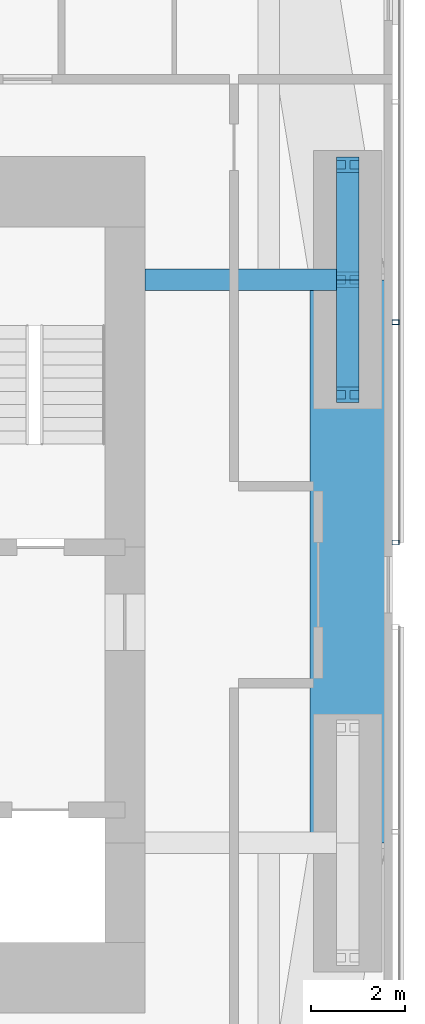
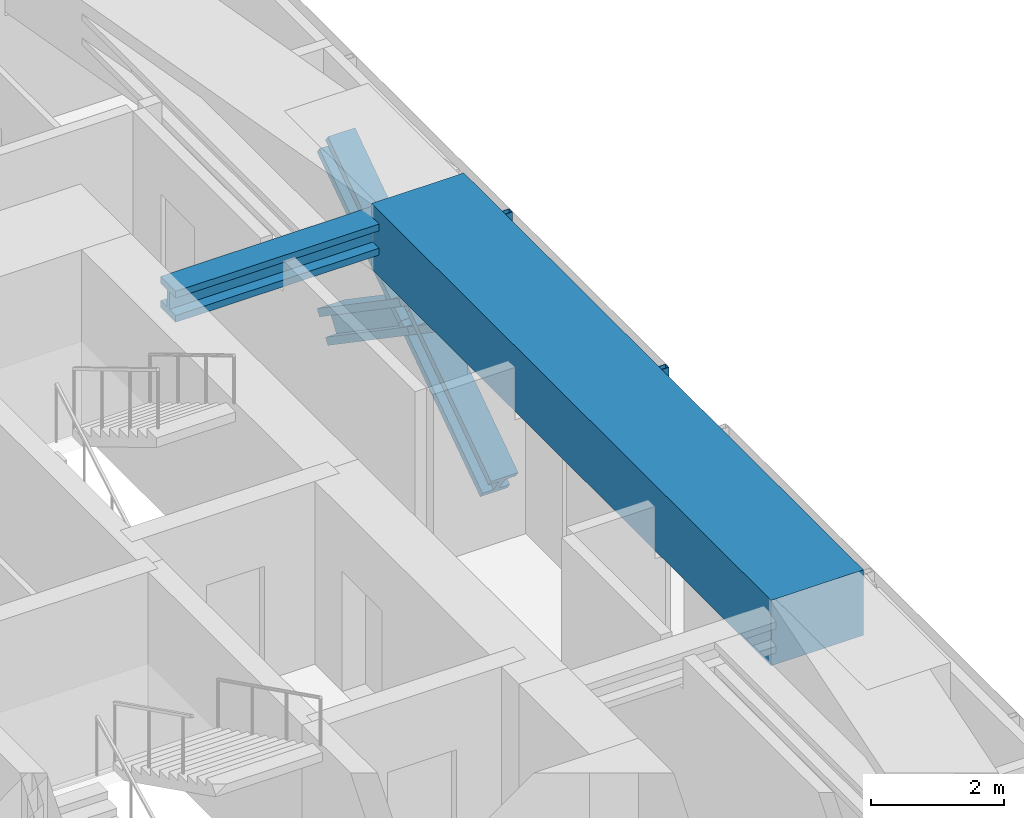
# One storey, part 9 of 23: 6 members, 2 beams, 1 element without a shape of its own.
"""IFC4 building model written with IfcOpenShell, lengths in metres."""

from ifc_helpers import new_model, si_unit, direction, frame, origin, origin_2d, place, context, subcontext, project, spatial, rectangle, hollow_rectangle, i_section, extrude, material, material_profile, profile_set, type_object, element, aggregate, save


model = new_model("IFC4")

# Units and contexts
model_context = context("Model", 3, precision=1e-05, world=origin(), true_north=direction((0.0, 1.0)))
body_context = subcontext(model_context, "Body", "Model", "MODEL_VIEW")
ifc_project = project(units=[si_unit("LENGTHUNIT", "METRE"), si_unit("AREAUNIT", "SQUARE_METRE"), si_unit("VOLUMEUNIT", "CUBIC_METRE"), si_unit("PLANEANGLEUNIT", "RADIAN"), si_unit("MASSUNIT", "GRAM", prefix="KILO")], contexts=[model_context])

# Site, building, storey
site_placement = place(None, origin())
site = spatial("IfcSite", under=ifc_project, at=site_placement, CompositionType="ELEMENT")
building_placement = place(site_placement, origin())
building = spatial("IfcBuilding", under=site, at=building_placement, Name="Jalousie Tower", CompositionType="ELEMENT")
storey_placement = place(building_placement, frame((0.0, 0.0, 118.25)))
storey = spatial("IfcBuildingStorey", under=building, at=storey_placement, Name="L32", CompositionType="ELEMENT", Elevation=118.25)

# Beam
ifc_material_1 = material(Name="Steel ASTM A992 Grade 50", Category="steel")
ifc_material_profile_1 = material_profile(ifc_material_1, i_section(OverallWidth=0.45458984375, OverallDepth=0.569091796875, WebThickness=0.077880859375, FlangeThickness=0.124755859375, at=origin_2d()), Name="W14X730")
ifc_profile_set_1 = profile_set([ifc_material_profile_1], Name="Steel ASTM A992 Grade 50")
beam_type_1 = type_object("IfcBeamType", Name="LEAN COLLECTOR W14X730", PredefinedType="BEAM", material=ifc_profile_set_1)
beam_1_placement = place(storey_placement, frame((48.550048828125, 25.0, 2.825439453125), z_axis=(-1.0, 0.0, 0.0), x_axis=(0.0, -1.0, 0.0)))
element("IfcBeam", 1, at=beam_1_placement, inside=storey, type_object=beam_type_1, Name="Lean collector under L33", PredefinedType="BEAM", context=body_context, shape_type="SweptSolid", body=[
    extrude(i_section(OverallWidth=0.45458984375, OverallDepth=0.569091796875, WebThickness=0.077880859375, FlangeThickness=0.124755859375, at=origin_2d()), origin(), (0.0, 0.0, 1.0), 4.324951171875),
])

# Members
ifc_material_2 = material(Name="Steel ASTM A992 Grade 50", Category="steel")
ifc_material_profile_2 = material_profile(ifc_material_2, i_section(OverallWidth=0.472412109375, OverallDepth=0.5791015625, WebThickness=0.094970703125, FlangeThickness=0.1298828125, at=origin_2d()), Name="W14X808")
ifc_profile_set_2 = profile_set([ifc_material_profile_2], Name="Steel ASTM A992 Grade 50")
member_type_1 = type_object("IfcMemberType", Name="PERIMETER BRACE W14X808", PredefinedType="BRACE", material=ifc_profile_set_2)
for number, where, z_axis, x_axis, name in (
    (2, (48.550048828125, 22.550048828125, -0.60009765625), (0.0, 0.825500916831, 0.564400776321), (-1.0, 0.0, 0.0), "Perimeter brace 07 L32 part 1"),
    (3, (48.550048828125, 25.0, 1.074951171875), (0.0, 0.825500916831, 0.564400776321), (-1.0, 0.0, 0.0), "Perimeter brace 07 L32 part 2"),
    (4, (48.550048828125, 27.449951171875, -0.60009765625), (0.0, -0.825500916831, 0.564400776321), (1.0, 0.0, 0.0), "Perimeter brace 07 L32 part 3"),
    (5, (48.550048828125, 25.0, 1.074951171875), (0.0, -0.825500916831, 0.564400776321), (1.0, 0.0, 0.0), "Perimeter brace 07 L32 part 4"),
):
    element("IfcMember", number, at=place(storey_placement, frame(where, z_axis=z_axis, x_axis=x_axis)), inside=storey, type_object=member_type_1, Name=name, PredefinedType="BRACE", context=body_context, shape_type="SweptSolid", body=[
        extrude(i_section(OverallWidth=0.472412109375, OverallDepth=0.5791015625, WebThickness=0.094970703125, FlangeThickness=0.1298828125, at=origin_2d()), origin(), (0.0, 0.0, 1.0), 2.9677734375),
    ])

# Beam
ifc_material_3 = material(Name="Concrete f'c 40 MPa", Category="concrete")
ifc_material_profile_3 = material_profile(ifc_material_3, rectangle(XDim=1.60009765625, YDim=1.199951171875, at=origin_2d()), Name="RC 1600x1200")
ifc_profile_set_3 = profile_set([ifc_material_profile_3], Name="Concrete f'c 40 MPa")
beam_type_2 = type_object("IfcBeamType", Name="RC BEAM 1600x1200", PredefinedType="BEAM", material=ifc_profile_set_3)
beam_2_placement = place(storey_placement, frame((48.550048828125, 13.0, 2.75), z_axis=(0.0, 1.0, 0.0), x_axis=(-1.0, 0.0, 0.0)))
element("IfcBeam", 6, at=beam_2_placement, inside=storey, type_object=beam_type_2, Name="Edge band beam 06-07 under L33", PredefinedType="BEAM", context=body_context, shape_type="SweptSolid", body=[
    extrude(rectangle(XDim=1.60009765625, YDim=1.199951171875, at=origin_2d()), origin(), (0.0, 0.0, 1.0), 12.0),
])

# Curtain wall, members
ifc_material_4 = material(Name="Perforated aluminium sheet", Category="aluminium")
curtain_wall_type = type_object("IfcCurtainWallType", Name="SOLAR SCREEN SS-1", PredefinedType="USERDEFINED", material=ifc_material_4)
curtain_wall_placement = place(storey_placement, origin())
curtain_wall = element("IfcCurtainWall", 7, at=curtain_wall_placement, inside=storey, type_object=curtain_wall_type, Name="Solar screen L32", ObjectType="SOLAR SCREEN SS-1", PredefinedType="USERDEFINED")
ifc_material_5 = material(Name="Steel ASTM A500 Grade C", Category="steel")
ifc_material_profile_4 = material_profile(ifc_material_5, hollow_rectangle(XDim=0.1015625, YDim=0.15234375, WallThickness=0.00634765625, at=origin_2d()), Name="HSS6X4X1/4")
ifc_profile_set_4 = profile_set([ifc_material_profile_4], Name="Steel ASTM A500 Grade C")
member_type_2 = type_object("IfcMemberType", Name="SOLAR SCREEN SS-1 MULLION", PredefinedType="MULLION", material=ifc_profile_set_4)
member_1_placement = place(storey_placement, frame((49.5712890625, 19.39990234375, -0.1201171875), z_axis=(0.0, 0.0, 1.0), x_axis=(0.0, 1.0, 0.0)))
member_1 = element("IfcMember", 8, at=member_1_placement, type_object=member_type_2, Name="SS1 post 1", PredefinedType="MULLION", context=body_context, shape_type="SweptSolid", body=[
    extrude(hollow_rectangle(XDim=0.1015625, YDim=0.15234375, WallThickness=0.00634765625, at=origin_2d()), origin(), (0.0, 0.0, 1.0), 3.230224609375),
])
member_2_placement = place(storey_placement, frame((49.5712890625, 24.095458984375, -0.1201171875), z_axis=(0.0, 0.0, 1.0), x_axis=(0.0, 1.0, 0.0)))
member_2 = element("IfcMember", 9, at=member_2_placement, type_object=member_type_2, Name="SS1 post 2", PredefinedType="MULLION", context=body_context, shape_type="SweptSolid", body=[
    extrude(hollow_rectangle(XDim=0.1015625, YDim=0.15234375, WallThickness=0.00634765625, at=origin_2d()), origin(), (0.0, 0.0, 1.0), 3.230224609375),
])
aggregate(curtain_wall, [member_1, member_2])

save(model, "model.ifc")
